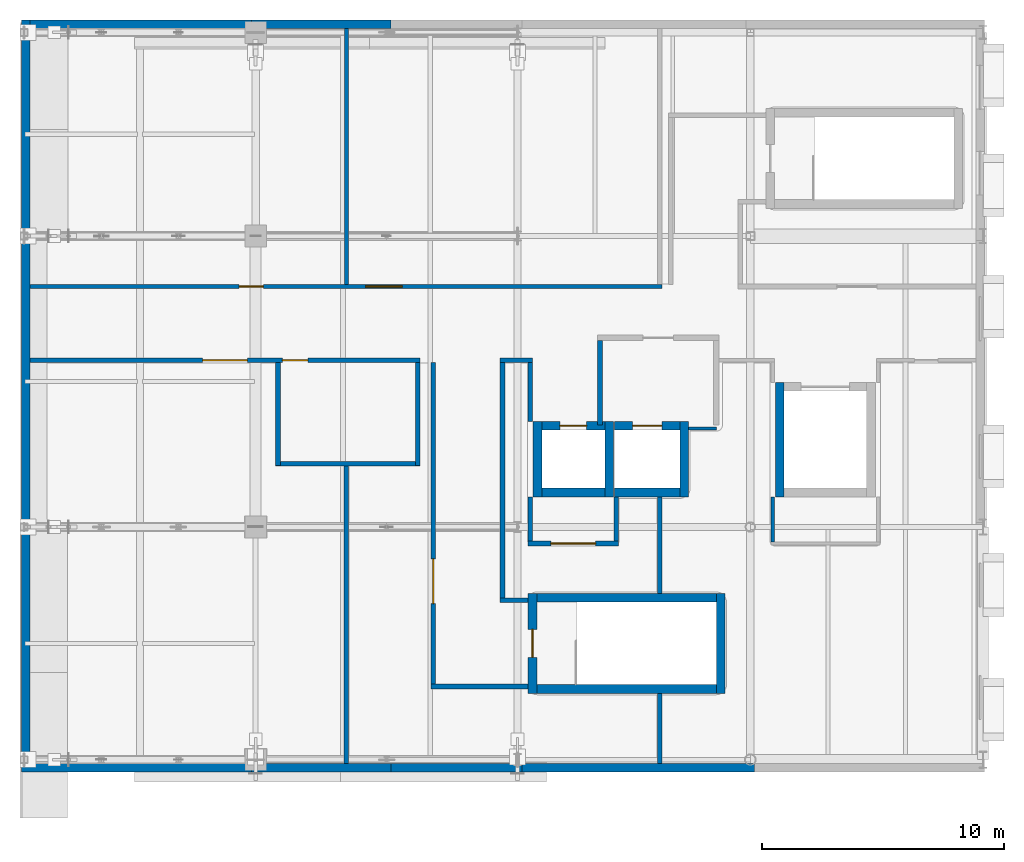
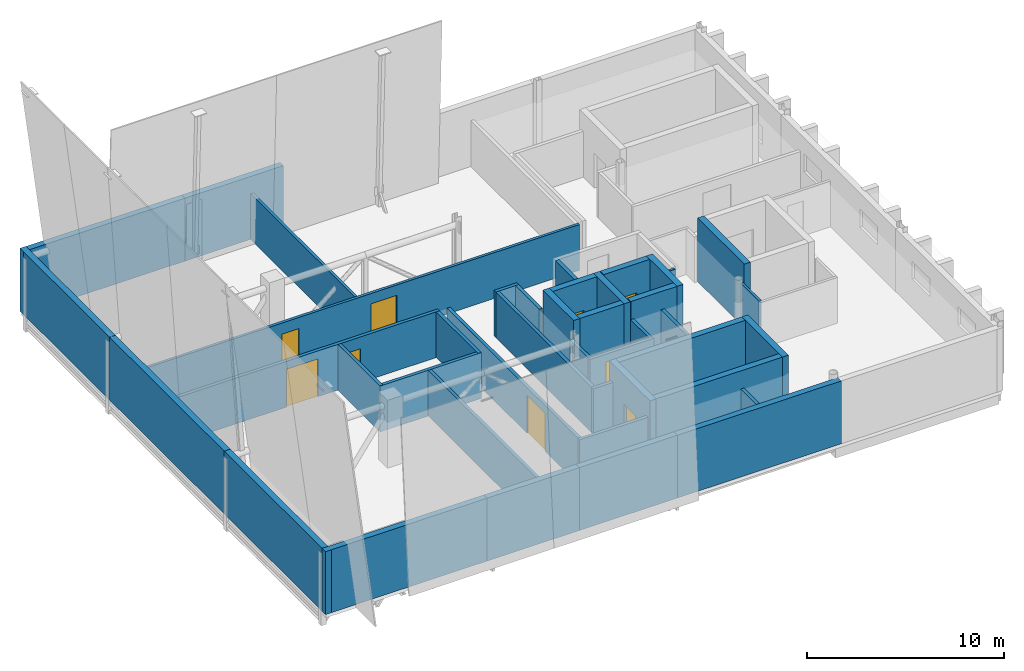
# One storey, part 7 of 10: 42 walls, 9 doors, 9 openings.
"""IFC4 building model written with IfcOpenShell, lengths in metres."""

from ifc_helpers import new_model, si_unit, direction, frame, frame_2d, origin, place, context, subcontext, project, spatial, rectangle, extrude, material, layer, layer_set, type_object, element, fill, save


model = new_model("IFC4")

# Units and contexts
model_context = context("Model", 3, precision=1e-05, world=origin(), true_north=direction((0.0, 1.0)))
body_context = subcontext(model_context, "Body", "Model", "MODEL_VIEW")
ifc_project = project(units=[si_unit("LENGTHUNIT", "METRE"), si_unit("AREAUNIT", "SQUARE_METRE"), si_unit("VOLUMEUNIT", "CUBIC_METRE"), si_unit("PLANEANGLEUNIT", "RADIAN"), si_unit("MASSUNIT", "GRAM", prefix="KILO")], contexts=[model_context])

# Site, building, storey
site_placement = place(None, origin())
site = spatial("IfcSite", under=ifc_project, at=site_placement, CompositionType="ELEMENT")
building_placement = place(site_placement, origin())
building = spatial("IfcBuilding", under=site, at=building_placement, Name="Zereglee Splitstone Museum", CompositionType="ELEMENT")
storey_placement = place(building_placement, frame((0.0, 0.0, 25.5)))
storey = spatial("IfcBuildingStorey", under=building, at=storey_placement, Name="L05", CompositionType="ELEMENT", Elevation=25.5)

# Wall, opening, door
ifc_material_1 = material(Name="Concrete C45/55", Category="concrete")
ifc_layer_1 = layer(ifc_material_1, 0.360107421875)
ifc_layer_set_1 = layer_set([ifc_layer_1], Name="Concrete C45/55")
wall_type_1 = type_object("IfcWallType", Name="CSW-02", PredefinedType="SHEAR", material=ifc_layer_set_1)
wall_1_placement = place(storey_placement, frame((21.02001953125, 2.739990234375, 0.0), z_axis=(0.0, 0.0, 1.0), x_axis=(0.0, 1.0, 0.0)))
wall_1 = element("IfcWall", 1, at=wall_1_placement, inside=storey, type_object=wall_type_1, Name="Stair Core Shear Wall ST-01 L05 West", PredefinedType="SHEAR", context=body_context, shape_type="SweptSolid", body=[
    extrude(rectangle(XDim=4.1201171875, YDim=0.360107421875, at=frame_2d((2.06005859375, 0.0))), origin(), (0.0, 0.0, 1.0), 3.9599609375),
])
opening_1_placement = place(wall_1_placement, frame((1.485107421875, 0.0, 0.0)))
opening_1 = element("IfcOpeningElement", 2, at=opening_1_placement, cuts=wall_1, Name="Opening ID-03", PredefinedType="OPENING", context=body_context, shape_type="SweptSolid", body=[
    extrude(rectangle(XDim=1.14990234375, YDim=2.14990234375, at=frame_2d((0.574951171875, 1.074951171875))), frame((0.0, 0.19482421875, 0.0), z_axis=(0.0, -1.0, 0.0), x_axis=(1.0, 0.0, 0.0)), (0.0, 0.0, 1.0), 0.389892578125),
])
ifc_material_2 = material(Name="Fire-rated steel and Siberian larch leaf", Category="steel")
door_type_1 = type_object("IfcDoorType", Name="ID-03", OperationType="NOTDEFINED", PredefinedType="DOOR", material=ifc_material_2)
door_1_placement = place(opening_1_placement, origin())
door_1 = element("IfcDoor", 3, at=door_1_placement, inside=storey, type_object=door_type_1, Name="Protected Stair Fire Door ST-01 L05", OperationType="SINGLE_SWING_LEFT", OverallHeight=2.14990234375, OverallWidth=1.14990234375, PredefinedType="DOOR", context=body_context, shape_type="SweptSolid", body=[
    extrude(rectangle(XDim=1.14990234375, YDim=2.14990234375, at=frame_2d((0.574951171875, 1.074951171875))), frame((0.0, 0.02490234375, 0.0), z_axis=(0.0, -1.0, 0.0), x_axis=(1.0, 0.0, 0.0)), (0.0, 0.0, 1.0), 0.050048828125),
])
fill(opening_1, door_1)

# Walls
wall_2_placement = place(storey_placement, frame((28.780029296875, 2.739990234375, 0.0), z_axis=(0.0, 0.0, 1.0), x_axis=(0.0, 1.0, 0.0)))
element("IfcWall", 4, at=wall_2_placement, inside=storey, type_object=wall_type_1, Name="Stair Core Shear Wall ST-01 L05 East", PredefinedType="SHEAR", context=body_context, shape_type="SweptSolid", body=[
    extrude(rectangle(XDim=4.1201171875, YDim=0.360107421875, at=frame_2d((2.06005859375, 0.0))), origin(), (0.0, 0.0, 1.0), 3.9599609375),
])
for number, where, z_axis, x_axis, name in (
    (5, (21.199951171875, 6.679931640625, 0.0), (0.0, 0.0, 1.0), (1.0, 0.0, 0.0), "Stair Core Shear Wall ST-01 L05 North"),
    (6, (21.199951171875, 2.919921875, 0.0), (0.0, 0.0, 1.0), (1.0, 0.0, 0.0), "Stair Core Shear Wall ST-01 L05 South"),
):
    element("IfcWall", number, at=place(storey_placement, frame(where, z_axis=z_axis, x_axis=x_axis)), inside=storey, type_object=wall_type_1, Name=name, PredefinedType="SHEAR", context=body_context, shape_type="SweptSolid", body=[
        extrude(rectangle(XDim=7.400146484375, YDim=0.360107421875, at=frame_2d((3.7001953125, 0.0))), origin(), (0.0, 0.0, 1.0), 3.9599609375),
    ])

# Wall, opening, door
wall_3_placement = place(storey_placement, frame((21.39990234375, 13.780029296875, 0.0), z_axis=(0.0, 0.0, 1.0), x_axis=(1.0, 0.0, 0.0)))
wall_3 = element("IfcWall", 7, at=wall_3_placement, inside=storey, type_object=wall_type_1, Name="Lift Shaft Wall PL-01 L05 North", PredefinedType="SHEAR", context=body_context, shape_type="SweptSolid", body=[
    extrude(rectangle(XDim=2.60009765625, YDim=0.360107421875, at=frame_2d((1.300048828125, 0.0))), origin(), (0.0, 0.0, 1.0), 3.9599609375),
])
opening_2_placement = place(wall_3_placement, frame((0.75, 0.0, 0.0)))
opening_2 = element("IfcOpeningElement", 8, at=opening_2_placement, cuts=wall_3, Name="Opening LD-01", PredefinedType="OPENING", context=body_context, shape_type="SweptSolid", body=[
    extrude(rectangle(XDim=1.10009765625, YDim=2.14990234375, at=frame_2d((0.550048828125, 1.074951171875))), frame((0.0, 0.19482421875, 0.0), z_axis=(0.0, -1.0, 0.0), x_axis=(1.0, 0.0, 0.0)), (0.0, 0.0, 1.0), 0.389892578125),
])
door_type_2 = type_object("IfcDoorType", Name="LD-01", OperationType="DOUBLE_DOOR_SLIDING", PredefinedType="DOOR", material=ifc_material_2)
door_2_placement = place(opening_2_placement, origin())
door_2 = element("IfcDoor", 9, at=door_2_placement, inside=storey, type_object=door_type_2, Name="Lift Landing Sliding Door PL-01 L05", OperationType="DOUBLE_DOOR_SLIDING", OverallHeight=2.14990234375, OverallWidth=1.10009765625, PredefinedType="DOOR", context=body_context, shape_type="SweptSolid", body=[
    extrude(rectangle(XDim=1.10009765625, YDim=2.14990234375, at=frame_2d((0.550048828125, 1.074951171875))), frame((0.0, 0.02490234375, 0.0), z_axis=(0.0, -1.0, 0.0), x_axis=(1.0, 0.0, 0.0)), (0.0, 0.0, 1.0), 0.050048828125),
])
fill(opening_2, door_2)

# Walls
wall_4_placement = place(storey_placement, frame((21.39990234375, 11.02001953125, 0.0), z_axis=(0.0, 0.0, 1.0), x_axis=(1.0, 0.0, 0.0)))
element("IfcWall", 10, at=wall_4_placement, inside=storey, type_object=wall_type_1, Name="Lift Shaft Wall PL-01 L05 South", PredefinedType="SHEAR", context=body_context, shape_type="SweptSolid", body=[
    extrude(rectangle(XDim=2.60009765625, YDim=0.360107421875, at=frame_2d((1.300048828125, 0.0))), origin(), (0.0, 0.0, 1.0), 3.9599609375),
])
for number, where, z_axis, x_axis, name in (
    (11, (21.219970703125, 10.840087890625, 0.0), (0.0, 0.0, 1.0), (0.0, 1.0, 0.0), "Lift Shaft Wall PL-01 L05 West"),
    (12, (24.179931640625, 10.840087890625, 0.0), (0.0, 0.0, 1.0), (0.0, 1.0, 0.0), "Lift Shaft Wall PL-01 L05 East"),
):
    element("IfcWall", number, at=place(storey_placement, frame(where, z_axis=z_axis, x_axis=x_axis)), inside=storey, type_object=wall_type_1, Name=name, PredefinedType="SHEAR", context=body_context, shape_type="SweptSolid", body=[
        extrude(rectangle(XDim=3.119873046875, YDim=0.360107421875, at=frame_2d((1.56005859375, 0.0))), origin(), (0.0, 0.0, 1.0), 3.9599609375),
    ])

# Wall, opening, door
wall_5_placement = place(storey_placement, frame((24.39990234375, 13.780029296875, 0.0), z_axis=(0.0, 0.0, 1.0), x_axis=(1.0, 0.0, 0.0)))
wall_5 = element("IfcWall", 13, at=wall_5_placement, inside=storey, type_object=wall_type_1, Name="Lift Shaft Wall FL-01 L05 North", PredefinedType="SHEAR", context=body_context, shape_type="SweptSolid", body=[
    extrude(rectangle(XDim=2.7001953125, YDim=0.360107421875, at=frame_2d((1.35009765625, 0.0))), origin(), (0.0, 0.0, 1.0), 3.9599609375),
])
opening_3_placement = place(wall_5_placement, frame((0.75, 0.0, 0.0)))
opening_3 = element("IfcOpeningElement", 14, at=opening_3_placement, cuts=wall_5, Name="Opening LD-02", PredefinedType="OPENING", context=body_context, shape_type="SweptSolid", body=[
    extrude(rectangle(XDim=1.199951171875, YDim=2.14990234375, at=frame_2d((0.60009765625, 1.074951171875))), frame((0.0, 0.19482421875, 0.0), z_axis=(0.0, -1.0, 0.0), x_axis=(1.0, 0.0, 0.0)), (0.0, 0.0, 1.0), 0.389892578125),
])
door_type_3 = type_object("IfcDoorType", Name="LD-02", OperationType="DOUBLE_DOOR_SLIDING", PredefinedType="DOOR", material=ifc_material_2)
door_3_placement = place(opening_3_placement, origin())
door_3 = element("IfcDoor", 15, at=door_3_placement, inside=storey, type_object=door_type_3, Name="Lift Landing Sliding Door FL-01 L05", OperationType="DOUBLE_DOOR_SLIDING", OverallHeight=2.14990234375, OverallWidth=1.199951171875, PredefinedType="DOOR", context=body_context, shape_type="SweptSolid", body=[
    extrude(rectangle(XDim=1.199951171875, YDim=2.14990234375, at=frame_2d((0.60009765625, 1.074951171875))), frame((0.0, 0.02490234375, 0.0), z_axis=(0.0, -1.0, 0.0), x_axis=(1.0, 0.0, 0.0)), (0.0, 0.0, 1.0), 0.050048828125),
])
fill(opening_3, door_3)

# Walls
wall_6_placement = place(storey_placement, frame((24.39990234375, 11.02001953125, 0.0), z_axis=(0.0, 0.0, 1.0), x_axis=(1.0, 0.0, 0.0)))
element("IfcWall", 16, at=wall_6_placement, inside=storey, type_object=wall_type_1, Name="Lift Shaft Wall FL-01 L05 South", PredefinedType="SHEAR", context=body_context, shape_type="SweptSolid", body=[
    extrude(rectangle(XDim=2.7001953125, YDim=0.360107421875, at=frame_2d((1.35009765625, 0.0))), origin(), (0.0, 0.0, 1.0), 3.9599609375),
])
wall_7_placement = place(storey_placement, frame((27.280029296875, 10.840087890625, 0.0), z_axis=(0.0, 0.0, 1.0), x_axis=(0.0, 1.0, 0.0)))
element("IfcWall", 17, at=wall_7_placement, inside=storey, type_object=wall_type_1, Name="Lift Shaft Wall FL-01 L05 East", PredefinedType="SHEAR", context=body_context, shape_type="SweptSolid", body=[
    extrude(rectangle(XDim=3.119873046875, YDim=0.360107421875, at=frame_2d((1.56005859375, 0.0))), origin(), (0.0, 0.0, 1.0), 3.9599609375),
])
wall_8_placement = place(storey_placement, frame((31.219970703125, 10.840087890625, 0.0), z_axis=(0.0, 0.0, 1.0), x_axis=(0.0, 1.0, 0.0)))
element("IfcWall", 18, at=wall_8_placement, inside=storey, type_object=wall_type_1, Name="Lift Shaft Wall GL-02 L05 West", PredefinedType="SHEAR", context=body_context, shape_type="SweptSolid", body=[
    extrude(rectangle(XDim=4.719970703125, YDim=0.360107421875, at=frame_2d((2.35986328125, 0.0))), origin(), (0.0, 0.0, 1.0), 3.9599609375),
])
ifc_material_3 = material(Name="Precast concrete C40/50", Category="concrete")
ifc_layer_2 = layer(ifc_material_3, 0.35009765625)
ifc_layer_set_2 = layer_set([ifc_layer_2], Name="Precast concrete C40/50")
wall_type_2 = type_object("IfcWallType", Name="EW-01", PredefinedType="STANDARD", material=ifc_layer_set_2)
wall_9_placement = place(storey_placement, frame((15.179931640625, 30.330078125, 0.0), z_axis=(0.0, 0.0, 1.0), x_axis=(-1.0, 0.0, 0.0)))
element("IfcWall", 19, at=wall_9_placement, inside=storey, type_object=wall_type_2, Name="Exterior Backup Wall RC4-EW-L05-0244", PredefinedType="STANDARD", context=body_context, shape_type="SweptSolid", body=[
    extrude(rectangle(XDim=5.760009765625, YDim=0.35009765625, at=frame_2d((2.8798828125, 0.0))), origin(), (0.0, 0.0, 1.0), 3.89990234375),
])
wall_10_placement = place(storey_placement, frame((9.780029296875, 30.330078125, 0.0), z_axis=(0.0, 0.0, 1.0), x_axis=(-1.0, 0.0, 0.0)))
element("IfcWall", 20, at=wall_10_placement, inside=storey, type_object=wall_type_2, Name="Exterior Backup Wall RC4-EW-L05-0245", PredefinedType="STANDARD", context=body_context, shape_type="SweptSolid", body=[
    extrude(rectangle(XDim=9.840087890625, YDim=0.35009765625, at=frame_2d((4.919921875, 0.0))), origin(), (0.0, 0.0, 1.0), 3.89990234375),
])
wall_11_placement = place(storey_placement, frame((0.1201171875, 30.510009765625, 0.0), z_axis=(0.0, 0.0, 1.0), x_axis=(0.0, -1.0, 0.0)))
element("IfcWall", 21, at=wall_11_placement, inside=storey, type_object=wall_type_2, Name="Exterior Backup Wall RC4-EW-L05-0246", PredefinedType="STANDARD", context=body_context, shape_type="SweptSolid", body=[
    extrude(rectangle(XDim=9.090087890625, YDim=0.35009765625, at=frame_2d((4.544921875, 0.0))), origin(), (0.0, 0.0, 1.0), 3.89990234375),
])
wall_12_placement = place(storey_placement, frame((0.1201171875, 21.780029296875, 0.0), z_axis=(0.0, 0.0, 1.0), x_axis=(0.0, -1.0, 0.0)))
element("IfcWall", 22, at=wall_12_placement, inside=storey, type_object=wall_type_2, Name="Exterior Backup Wall RC4-EW-L05-0247", PredefinedType="STANDARD", context=body_context, shape_type="SweptSolid", body=[
    extrude(rectangle(XDim=12.360107421875, YDim=0.35009765625, at=frame_2d((6.18017578125, 0.0))), origin(), (0.0, 0.0, 1.0), 3.89990234375),
])
wall_13_placement = place(storey_placement, frame((0.1201171875, 9.780029296875, 0.0), z_axis=(0.0, 0.0, 1.0), x_axis=(0.0, -1.0, 0.0)))
element("IfcWall", 23, at=wall_13_placement, inside=storey, type_object=wall_type_2, Name="Exterior Backup Wall RC4-EW-L05-0248", PredefinedType="STANDARD", context=body_context, shape_type="SweptSolid", body=[
    extrude(rectangle(XDim=10.2900390625, YDim=0.35009765625, at=frame_2d((5.14501953125, 0.0))), origin(), (0.0, 0.0, 1.0), 3.89990234375),
])
wall_14_placement = place(storey_placement, frame((-0.06005859375, -0.330078125, 0.0), z_axis=(0.0, 0.0, 1.0), x_axis=(1.0, 0.0, 0.0)))
element("IfcWall", 24, at=wall_14_placement, inside=storey, type_object=wall_type_2, Name="Exterior Backup Wall RC4-EW-L05-0249", PredefinedType="STANDARD", context=body_context, shape_type="SweptSolid", body=[
    extrude(rectangle(XDim=9.840087890625, YDim=0.35009765625, at=frame_2d((4.919921875, 0.0))), origin(), (0.0, 0.0, 1.0), 3.89990234375),
])
for number, where, z_axis, x_axis, name in (
    (25, (9.419921875, -0.330078125, 0.0), (0.0, 0.0, 1.0), (1.0, 0.0, 0.0), "Exterior Backup Wall RC4-EW-L05-0250"),
    (26, (14.820068359375, -0.330078125, 0.0), (0.0, 0.0, 1.0), (1.0, 0.0, 0.0), "Exterior Backup Wall RC4-EW-L05-0251"),
):
    element("IfcWall", number, at=place(storey_placement, frame(where, z_axis=z_axis, x_axis=x_axis)), inside=storey, type_object=wall_type_2, Name=name, PredefinedType="STANDARD", context=body_context, shape_type="SweptSolid", body=[
        extrude(rectangle(XDim=5.760009765625, YDim=0.35009765625, at=frame_2d((2.8798828125, 0.0))), origin(), (0.0, 0.0, 1.0), 3.89990234375),
    ])
wall_15_placement = place(storey_placement, frame((20.219970703125, -0.330078125, 0.0), z_axis=(0.0, 0.0, 1.0), x_axis=(1.0, 0.0, 0.0)))
element("IfcWall", 27, at=wall_15_placement, inside=storey, type_object=wall_type_2, Name="Exterior Backup Wall RC4-EW-L05-0252", PredefinedType="STANDARD", context=body_context, shape_type="SweptSolid", body=[
    extrude(rectangle(XDim=9.9599609375, YDim=0.35009765625, at=frame_2d((4.97998046875, 0.0))), origin(), (0.0, 0.0, 1.0), 3.89990234375),
])

# Wall, openings, doors
ifc_material_4 = material(Name="Fire-rated gypsum board partition", Category="masonry")
ifc_layer_3 = layer(ifc_material_4, 0.159912109375)
ifc_layer_set_3 = layer_set([ifc_layer_3], Name="Fire-rated gypsum board partition")
wall_type_3 = type_object("IfcWallType", Name="IW-04", PredefinedType="PARTITIONING", material=ifc_layer_set_3)
wall_16_placement = place(storey_placement, frame((0.294921875, 19.52001953125, 0.0), z_axis=(0.0, 0.0, 1.0), x_axis=(1.0, 0.0, 0.0)))
wall_16 = element("IfcWall", 28, at=wall_16_placement, inside=storey, type_object=wall_type_3, Name="Interior Partition L05-0705 (Curatorial Study Room)", PredefinedType="PARTITIONING", context=body_context, shape_type="SweptSolid", body=[
    extrude(rectangle(XDim=26.06005859375, YDim=0.159912109375, at=frame_2d((13.030029296875, 0.0))), origin(), (0.0, 0.0, 1.0), 2.840087890625),
])
opening_4_placement = place(wall_16_placement, frame((8.62109375, 0.0, 0.0)))
opening_4 = element("IfcOpeningElement", 29, at=opening_4_placement, cuts=wall_16, Name="Opening ID-10", PredefinedType="OPENING", context=body_context, shape_type="SweptSolid", body=[
    extrude(rectangle(XDim=1.0, YDim=2.14990234375, at=frame_2d((0.5, 1.074951171875))), frame((0.0, 0.0947265625, 0.0), z_axis=(0.0, -1.0, 0.0), x_axis=(1.0, 0.0, 0.0)), (0.0, 0.0, 1.0), 0.189697265625),
])
opening_5_placement = place(wall_16_placement, frame((13.843505859375, 0.0, 0.0)))
opening_5 = element("IfcOpeningElement", 30, at=opening_5_placement, cuts=wall_16, Name="Opening ID-07", PredefinedType="OPENING", context=body_context, shape_type="SweptSolid", body=[
    extrude(rectangle(XDim=1.5, YDim=2.199951171875, at=frame_2d((0.75, 1.10009765625))), frame((0.0, 0.0947265625, 0.0), z_axis=(0.0, -1.0, 0.0), x_axis=(1.0, 0.0, 0.0)), (0.0, 0.0, 1.0), 0.189697265625),
])
door_type_4 = type_object("IfcDoorType", Name="ID-07", OperationType="NOTDEFINED", PredefinedType="DOOR", material=ifc_material_2)
door_4_placement = place(opening_5_placement, origin())
door_4 = element("IfcDoor", 31, at=door_4_placement, inside=storey, type_object=door_type_4, Name="Interior Door L05-0122 (Conservation Preparation Studio)", OperationType="DOUBLE_DOOR_SINGLE_SWING", OverallHeight=2.199951171875, OverallWidth=1.5, PredefinedType="DOOR", context=body_context, shape_type="SweptSolid", body=[
    extrude(rectangle(XDim=1.5, YDim=2.199951171875, at=frame_2d((0.75, 1.10009765625))), frame((0.0, 0.02490234375, 0.0), z_axis=(0.0, -1.0, 0.0), x_axis=(1.0, 0.0, 0.0)), (0.0, 0.0, 1.0), 0.050048828125),
])
fill(opening_5, door_4)
ifc_material_5 = material(Name="Siberian larch acoustic timber leaf in bronze-steel frame", Category="steel")
door_type_5 = type_object("IfcDoorType", Name="ID-10", OperationType="NOTDEFINED", PredefinedType="DOOR", material=ifc_material_5)
door_5_placement = place(opening_4_placement, origin())
door_5 = element("IfcDoor", 32, at=door_5_placement, inside=storey, type_object=door_type_5, Name="Interior Door L05-0121 (Curatorial Study Room)", OperationType="SINGLE_SWING_RIGHT", OverallHeight=2.14990234375, OverallWidth=1.0, PredefinedType="DOOR", context=body_context, shape_type="SweptSolid", body=[
    extrude(rectangle(XDim=1.0, YDim=2.14990234375, at=frame_2d((0.5, 1.074951171875))), frame((0.0, 0.02490234375, 0.0), z_axis=(0.0, -1.0, 0.0), x_axis=(1.0, 0.0, 0.0)), (0.0, 0.0, 1.0), 0.050048828125),
])
fill(opening_4, door_5)

# Walls
wall_17_placement = place(storey_placement, frame((13.340087890625, 19.60009765625, 0.0), z_axis=(0.0, 0.0, 1.0), x_axis=(0.0, 1.0, 0.0)))
element("IfcWall", 33, at=wall_17_placement, inside=storey, type_object=wall_type_3, Name="Interior Partition L05-0711 (Curatorial Study Room)", PredefinedType="PARTITIONING", context=body_context, shape_type="SweptSolid", body=[
    extrude(rectangle(XDim=10.554931640625, YDim=0.159912109375, at=frame_2d((5.27734375, 0.0))), origin(), (0.0, 0.0, 1.0), 2.840087890625),
])
ifc_layer_4 = layer(ifc_material_4, 0.139892578125)
ifc_layer_set_4 = layer_set([ifc_layer_4], Name="Fire-rated gypsum board partition")
wall_type_4 = type_object("IfcWallType", Name="IW-05", PredefinedType="PARTITIONING", material=ifc_layer_set_4)
wall_18_placement = place(storey_placement, frame((27.4599609375, 13.659912109375, 0.0), z_axis=(0.0, 0.0, 1.0), x_axis=(1.0, 0.0, 0.0)))
element("IfcWall", 34, at=wall_18_placement, inside=storey, type_object=wall_type_4, Name="Interior Partition L05-0700 (Research Reading Room)", PredefinedType="PARTITIONING", context=body_context, shape_type="SweptSolid", body=[
    extrude(rectangle(XDim=1.14013671875, YDim=0.139892578125, at=frame_2d((0.570068359375, 0.0))), origin(), (0.0, 0.0, 1.0), 2.840087890625),
])
wall_19_placement = place(storey_placement, frame((30.919921875, 8.989990234375, 0.0), z_axis=(0.0, 0.0, 1.0), x_axis=(0.0, 1.0, 0.0)))
element("IfcWall", 35, at=wall_19_placement, inside=storey, type_object=wall_type_4, Name="Interior Partition L05-0723 (Research Reading Room)", PredefinedType="PARTITIONING", context=body_context, shape_type="SweptSolid", body=[
    extrude(rectangle(XDim=1.85009765625, YDim=0.139892578125, at=frame_2d((0.925048828125, 0.0))), origin(), (0.0, 0.0, 1.0), 2.840087890625),
])
ifc_material_6 = material(Name="Concrete C35/45", Category="concrete")
ifc_layer_5 = layer(ifc_material_6, 0.219970703125)
ifc_layer_set_5 = layer_set([ifc_layer_5], Name="Concrete C35/45")
wall_type_5 = type_object("IfcWallType", Name="IW-01", PredefinedType="PARTITIONING", material=ifc_layer_set_5)
wall_20_placement = place(storey_placement, frame((23.800048828125, 13.800048828125, 0.0), z_axis=(0.0, 0.0, 1.0), x_axis=(0.0, 1.0, 0.0)))
element("IfcWall", 36, at=wall_20_placement, inside=storey, type_object=wall_type_5, Name="Firefighting Lobby Wall L05 West", PredefinedType="PARTITIONING", context=body_context, shape_type="SweptSolid", body=[
    extrude(rectangle(XDim=3.489990234375, YDim=0.219970703125, at=frame_2d((1.7451171875, 0.0))), origin(), (0.0, 0.0, 1.0), 2.840087890625),
])
ifc_material_7 = material(Name="Gypsum board on acoustic steel stud", Category="steel")
ifc_layer_6 = layer(ifc_material_7, 0.18994140625)
ifc_layer_set_6 = layer_set([ifc_layer_6], Name="Gypsum board on acoustic steel stud")
wall_type_6 = type_object("IfcWallType", Name="IW-02", PredefinedType="PARTITIONING", material=ifc_layer_set_6)
wall_21_placement = place(storey_placement, frame((16.824951171875, 3.02001953125, 0.0), z_axis=(0.0, 0.0, 1.0), x_axis=(1.0, 0.0, 0.0)))
element("IfcWall", 37, at=wall_21_placement, inside=storey, type_object=wall_type_6, Name="Interior Partition L05-0695 (Imperial Seal and Jade Exhibition Room)", PredefinedType="PARTITIONING", context=body_context, shape_type="SweptSolid", body=[
    extrude(rectangle(XDim=4.01513671875, YDim=0.18994140625, at=frame_2d((2.007568359375, 0.0))), origin(), (0.0, 0.0, 1.0), 2.840087890625),
])
wall_22_placement = place(storey_placement, frame((19.68505859375, 6.580078125, 0.0), z_axis=(0.0, 0.0, 1.0), x_axis=(1.0, 0.0, 0.0)))
element("IfcWall", 38, at=wall_22_placement, inside=storey, type_object=wall_type_6, Name="Interior Partition L05-0696 (Imperial Seal and Jade Exhibition Room Suite)", PredefinedType="PARTITIONING", context=body_context, shape_type="SweptSolid", body=[
    extrude(rectangle(XDim=1.155029296875, YDim=0.18994140625, at=frame_2d((0.57763671875, 0.0))), origin(), (0.0, 0.0, 1.0), 2.840087890625),
])

# Wall, opening, door
wall_23_placement = place(storey_placement, frame((20.824951171875, 8.919921875, 0.0), z_axis=(0.0, 0.0, 1.0), x_axis=(1.0, 0.0, 0.0)))
wall_23 = element("IfcWall", 39, at=wall_23_placement, inside=storey, type_object=wall_type_6, Name="Interior Partition L05-0697 (Imperial Seal and Jade Exhibition Room Suite)", PredefinedType="PARTITIONING", context=body_context, shape_type="SweptSolid", body=[
    extrude(rectangle(XDim=3.75, YDim=0.18994140625, at=frame_2d((1.875, 0.0))), origin(), (0.0, 0.0, 1.0), 2.840087890625),
])
opening_6_placement = place(wall_23_placement, frame((0.949951171875, 0.0, 0.0)))
opening_6 = element("IfcOpeningElement", 40, at=opening_6_placement, cuts=wall_23, Name="Opening ID-02", PredefinedType="OPENING", context=body_context, shape_type="SweptSolid", body=[
    extrude(rectangle(XDim=1.85009765625, YDim=2.35009765625, at=frame_2d((0.925048828125, 1.175048828125))), frame((0.0, 0.10986328125, 0.0), z_axis=(0.0, -1.0, 0.0), x_axis=(1.0, 0.0, 0.0)), (0.0, 0.0, 1.0), 0.2197265625),
])
door_type_6 = type_object("IfcDoorType", Name="ID-02", OperationType="NOTDEFINED", PredefinedType="DOOR", material=ifc_material_2)
door_6_placement = place(opening_6_placement, frame((1.85009765625, 0.0, 0.0), z_axis=(0.0, 0.0, 1.0), x_axis=(-1.0, 0.0, 0.0)))
door_6 = element("IfcDoor", 41, at=door_6_placement, inside=storey, type_object=door_type_6, Name="Interior Door L05-0119 (Imperial Seal and Jade Exhibition Room Suite)", OperationType="DOUBLE_DOOR_SINGLE_SWING", OverallHeight=2.35009765625, OverallWidth=1.85009765625, PredefinedType="DOOR", context=body_context, shape_type="SweptSolid", body=[
    extrude(rectangle(XDim=1.85009765625, YDim=2.35009765625, at=frame_2d((0.925048828125, 1.175048828125))), frame((0.0, 0.02490234375, 0.0), z_axis=(0.0, -1.0, 0.0), x_axis=(1.0, 0.0, 0.0)), (0.0, 0.0, 1.0), 0.050048828125),
])
fill(opening_6, door_6)

# Wall
wall_24_placement = place(storey_placement, frame((10.425048828125, 12.199951171875, 0.0), z_axis=(0.0, 0.0, 1.0), x_axis=(1.0, 0.0, 0.0)))
element("IfcWall", 42, at=wall_24_placement, inside=storey, type_object=wall_type_6, Name="Interior Partition L05-0699 (Public Washroom)", PredefinedType="PARTITIONING", context=body_context, shape_type="SweptSolid", body=[
    extrude(rectangle(XDim=5.949951171875, YDim=0.18994140625, at=frame_2d((2.97509765625, 0.0))), origin(), (0.0, 0.0, 1.0), 2.840087890625),
])

# Wall, openings, doors
wall_25_placement = place(storey_placement, frame((0.294921875, 16.47998046875, 0.0), z_axis=(0.0, 0.0, 1.0), x_axis=(1.0, 0.0, 0.0)))
wall_25 = element("IfcWall", 43, at=wall_25_placement, inside=storey, type_object=wall_type_6, Name="Interior Partition L05-0701 (Public Washroom)", PredefinedType="PARTITIONING", context=body_context, shape_type="SweptSolid", body=[
    extrude(rectangle(XDim=16.080078125, YDim=0.18994140625, at=frame_2d((8.0400390625, 0.0))), origin(), (0.0, 0.0, 1.0), 2.840087890625),
])
opening_7_placement = place(wall_25_placement, frame((10.409423828125, 0.0, 0.0)))
opening_7 = element("IfcOpeningElement", 44, at=opening_7_placement, cuts=wall_25, Name="Opening ID-12", PredefinedType="OPENING", context=body_context, shape_type="SweptSolid", body=[
    extrude(rectangle(XDim=1.050048828125, YDim=2.10009765625, at=frame_2d((0.52490234375, 1.050048828125))), frame((0.0, 0.10986328125, 0.0), z_axis=(0.0, -1.0, 0.0), x_axis=(1.0, 0.0, 0.0)), (0.0, 0.0, 1.0), 0.2197265625),
])
opening_8_placement = place(wall_25_placement, frame((7.114990234375, 0.0, 0.0)))
opening_8 = element("IfcOpeningElement", 45, at=opening_8_placement, cuts=wall_25, Name="Opening ID-02", PredefinedType="OPENING", context=body_context, shape_type="SweptSolid", body=[
    extrude(rectangle(XDim=1.85009765625, YDim=2.35009765625, at=frame_2d((0.925048828125, 1.175048828125))), frame((0.0, 0.10986328125, 0.0), z_axis=(0.0, -1.0, 0.0), x_axis=(1.0, 0.0, 0.0)), (0.0, 0.0, 1.0), 0.2197265625),
])
door_type_7 = type_object("IfcDoorType", Name="ID-12", OperationType="NOTDEFINED", PredefinedType="DOOR", material=ifc_material_5)
door_7_placement = place(opening_7_placement, frame((1.050048828125, 0.0, 0.0), z_axis=(0.0, 0.0, 1.0), x_axis=(-1.0, 0.0, 0.0)))
door_7 = element("IfcDoor", 46, at=door_7_placement, inside=storey, type_object=door_type_7, Name="Interior Door L05-0116 (Public Washroom)", OperationType="SINGLE_SWING_LEFT", OverallHeight=2.10009765625, OverallWidth=1.050048828125, PredefinedType="DOOR", context=body_context, shape_type="SweptSolid", body=[
    extrude(rectangle(XDim=1.050048828125, YDim=2.10009765625, at=frame_2d((0.52490234375, 1.050048828125))), frame((0.0, 0.02490234375, 0.0), z_axis=(0.0, -1.0, 0.0), x_axis=(1.0, 0.0, 0.0)), (0.0, 0.0, 1.0), 0.050048828125),
])
fill(opening_7, door_7)
door_8_placement = place(opening_8_placement, frame((1.85009765625, 0.0, 0.0), z_axis=(0.0, 0.0, 1.0), x_axis=(-1.0, 0.0, 0.0)))
door_8 = element("IfcDoor", 47, at=door_8_placement, inside=storey, type_object=door_type_6, Name="Interior Door L05-0117 (Calligraphy and Rare Manuscript Gallery)", OperationType="DOUBLE_DOOR_SINGLE_SWING", OverallHeight=2.35009765625, OverallWidth=1.85009765625, PredefinedType="DOOR", context=body_context, shape_type="SweptSolid", body=[
    extrude(rectangle(XDim=1.85009765625, YDim=2.35009765625, at=frame_2d((0.925048828125, 1.175048828125))), frame((0.0, 0.02490234375, 0.0), z_axis=(0.0, -1.0, 0.0), x_axis=(1.0, 0.0, 0.0)), (0.0, 0.0, 1.0), 0.050048828125),
])
fill(opening_8, door_8)

# Walls
wall_26_placement = place(storey_placement, frame((19.68505859375, 16.47998046875, 0.0), z_axis=(0.0, 0.0, 1.0), x_axis=(1.0, 0.0, 0.0)))
element("IfcWall", 48, at=wall_26_placement, inside=storey, type_object=wall_type_6, Name="Interior Partition L05-0702 (Imperial Seal and Jade Exhibition Room Suite)", PredefinedType="PARTITIONING", context=body_context, shape_type="SweptSolid", body=[
    extrude(rectangle(XDim=1.329833984375, YDim=0.18994140625, at=frame_2d((0.6650390625, 0.0))), origin(), (0.0, 0.0, 1.0), 2.840087890625),
])
wall_27_placement = place(storey_placement, frame((10.52001953125, 12.1298828125, 0.0), z_axis=(0.0, 0.0, 1.0), x_axis=(0.0, 1.0, 0.0)))
element("IfcWall", 49, at=wall_27_placement, inside=storey, type_object=wall_type_6, Name="Interior Partition L05-0709 (Public Washroom)", PredefinedType="PARTITIONING", context=body_context, shape_type="SweptSolid", body=[
    extrude(rectangle(XDim=4.255126953125, YDim=0.18994140625, at=frame_2d((2.12744140625, 0.0))), origin(), (0.0, 0.0, 1.0), 2.840087890625),
])
wall_28_placement = place(storey_placement, frame((13.340087890625, -0.155029296875, 0.0), z_axis=(0.0, 0.0, 1.0), x_axis=(0.0, 1.0, 0.0)))
element("IfcWall", 50, at=wall_28_placement, inside=storey, type_object=wall_type_6, Name="Interior Partition L05-0710 (Calligraphy and Rare Manuscript Gallery)", PredefinedType="PARTITIONING", context=body_context, shape_type="SweptSolid", body=[
    extrude(rectangle(XDim=12.260009765625, YDim=0.18994140625, at=frame_2d((6.1298828125, 0.0))), origin(), (0.0, 0.0, 1.0), 2.840087890625),
])
wall_29_placement = place(storey_placement, frame((16.280029296875, 12.1298828125, 0.0), z_axis=(0.0, 0.0, 1.0), x_axis=(0.0, 1.0, 0.0)))
element("IfcWall", 51, at=wall_29_placement, inside=storey, type_object=wall_type_6, Name="Interior Partition L05-0712 (Public Washroom)", PredefinedType="PARTITIONING", context=body_context, shape_type="SweptSolid", body=[
    extrude(rectangle(XDim=4.255126953125, YDim=0.18994140625, at=frame_2d((2.12744140625, 0.0))), origin(), (0.0, 0.0, 1.0), 2.840087890625),
])

# Wall, opening, door
wall_30_placement = place(storey_placement, frame((16.919921875, 3.114990234375, 0.0), z_axis=(0.0, 0.0, 1.0), x_axis=(0.0, 1.0, 0.0)))
wall_30 = element("IfcWall", 52, at=wall_30_placement, inside=storey, type_object=wall_type_6, Name="Interior Partition L05-0713 (Imperial Seal and Jade Exhibition Room)", PredefinedType="PARTITIONING", context=body_context, shape_type="SweptSolid", body=[
    extrude(rectangle(XDim=13.27490234375, YDim=0.18994140625, at=frame_2d((6.637451171875, 0.0))), origin(), (0.0, 0.0, 1.0), 2.840087890625),
])
opening_9_placement = place(wall_30_placement, frame((3.322998046875, 0.0, 0.0)))
opening_9 = element("IfcOpeningElement", 53, at=opening_9_placement, cuts=wall_30, Name="Opening ID-02", PredefinedType="OPENING", context=body_context, shape_type="SweptSolid", body=[
    extrude(rectangle(XDim=1.85009765625, YDim=2.35009765625, at=frame_2d((0.925048828125, 1.175048828125))), frame((0.0, 0.10986328125, 0.0), z_axis=(0.0, -1.0, 0.0), x_axis=(1.0, 0.0, 0.0)), (0.0, 0.0, 1.0), 0.2197265625),
])
door_9_placement = place(opening_9_placement, origin())
door_9 = element("IfcDoor", 54, at=door_9_placement, inside=storey, type_object=door_type_6, Name="Interior Door L05-0118 (Imperial Seal and Jade Exhibition Room)", OperationType="DOUBLE_DOOR_SINGLE_SWING", OverallHeight=2.35009765625, OverallWidth=1.85009765625, PredefinedType="DOOR", context=body_context, shape_type="SweptSolid", body=[
    extrude(rectangle(XDim=1.85009765625, YDim=2.35009765625, at=frame_2d((0.925048828125, 1.175048828125))), frame((0.0, 0.02490234375, 0.0), z_axis=(0.0, -1.0, 0.0), x_axis=(1.0, 0.0, 0.0)), (0.0, 0.0, 1.0), 0.050048828125),
])
fill(opening_9, door_9)

# Walls
wall_31_placement = place(storey_placement, frame((19.780029296875, 6.675048828125, 0.0), z_axis=(0.0, 0.0, 1.0), x_axis=(0.0, 1.0, 0.0)))
element("IfcWall", 55, at=wall_31_placement, inside=storey, type_object=wall_type_6, Name="Interior Partition L05-0714 (Imperial Seal and Jade Exhibition Room Suite)", PredefinedType="PARTITIONING", context=body_context, shape_type="SweptSolid", body=[
    extrude(rectangle(XDim=9.7099609375, YDim=0.18994140625, at=frame_2d((4.85498046875, 0.0))), origin(), (0.0, 0.0, 1.0), 2.840087890625),
])
wall_32_placement = place(storey_placement, frame((20.919921875, 9.014892578125, 0.0), z_axis=(0.0, 0.0, 1.0), x_axis=(0.0, 1.0, 0.0)))
element("IfcWall", 56, at=wall_32_placement, inside=storey, type_object=wall_type_6, Name="Interior Partition L05-0715 (Imperial Seal and Jade Exhibition Room Suite)", PredefinedType="PARTITIONING", context=body_context, shape_type="SweptSolid", body=[
    extrude(rectangle(XDim=1.8251953125, YDim=0.18994140625, at=frame_2d((0.91259765625, 0.0))), origin(), (0.0, 0.0, 1.0), 2.840087890625),
])
wall_33_placement = place(storey_placement, frame((20.919921875, 13.9599609375, 0.0), z_axis=(0.0, 0.0, 1.0), x_axis=(0.0, 1.0, 0.0)))
element("IfcWall", 57, at=wall_33_placement, inside=storey, type_object=wall_type_6, Name="Interior Partition L05-0716 (Imperial Seal and Jade Exhibition Room Suite)", PredefinedType="PARTITIONING", context=body_context, shape_type="SweptSolid", body=[
    extrude(rectangle(XDim=2.425048828125, YDim=0.18994140625, at=frame_2d((1.21240234375, 0.0))), origin(), (0.0, 0.0, 1.0), 2.840087890625),
])
wall_34_placement = place(storey_placement, frame((24.47998046875, 9.014892578125, 0.0), z_axis=(0.0, 0.0, 1.0), x_axis=(0.0, 1.0, 0.0)))
element("IfcWall", 58, at=wall_34_placement, inside=storey, type_object=wall_type_6, Name="Interior Partition L05-0717 (Imperial Seal and Jade Exhibition Room Suite)", PredefinedType="PARTITIONING", context=body_context, shape_type="SweptSolid", body=[
    extrude(rectangle(XDim=1.8251953125, YDim=0.18994140625, at=frame_2d((0.91259765625, 0.0))), origin(), (0.0, 0.0, 1.0), 2.840087890625),
])
wall_35_placement = place(storey_placement, frame((26.260009765625, -0.155029296875, 0.0), z_axis=(0.0, 0.0, 1.0), x_axis=(0.0, 1.0, 0.0)))
element("IfcWall", 59, at=wall_35_placement, inside=storey, type_object=wall_type_6, Name="Interior Partition L05-0718 (Imperial Seal and Jade Exhibition Room)", PredefinedType="PARTITIONING", context=body_context, shape_type="SweptSolid", body=[
    extrude(rectangle(XDim=2.89501953125, YDim=0.18994140625, at=frame_2d((1.447509765625, 0.0))), origin(), (0.0, 0.0, 1.0), 2.840087890625),
])
wall_36_placement = place(storey_placement, frame((26.260009765625, 6.860107421875, 0.0), z_axis=(0.0, 0.0, 1.0), x_axis=(0.0, 1.0, 0.0)))
element("IfcWall", 60, at=wall_36_placement, inside=storey, type_object=wall_type_6, Name="Interior Partition L05-0719 (Imperial Seal and Jade Exhibition Room Suite)", PredefinedType="PARTITIONING", context=body_context, shape_type="SweptSolid", body=[
    extrude(rectangle(XDim=3.97998046875, YDim=0.18994140625, at=frame_2d((1.989990234375, 0.0))), origin(), (0.0, 0.0, 1.0), 2.840087890625),
])

save(model, "model.ifc")
